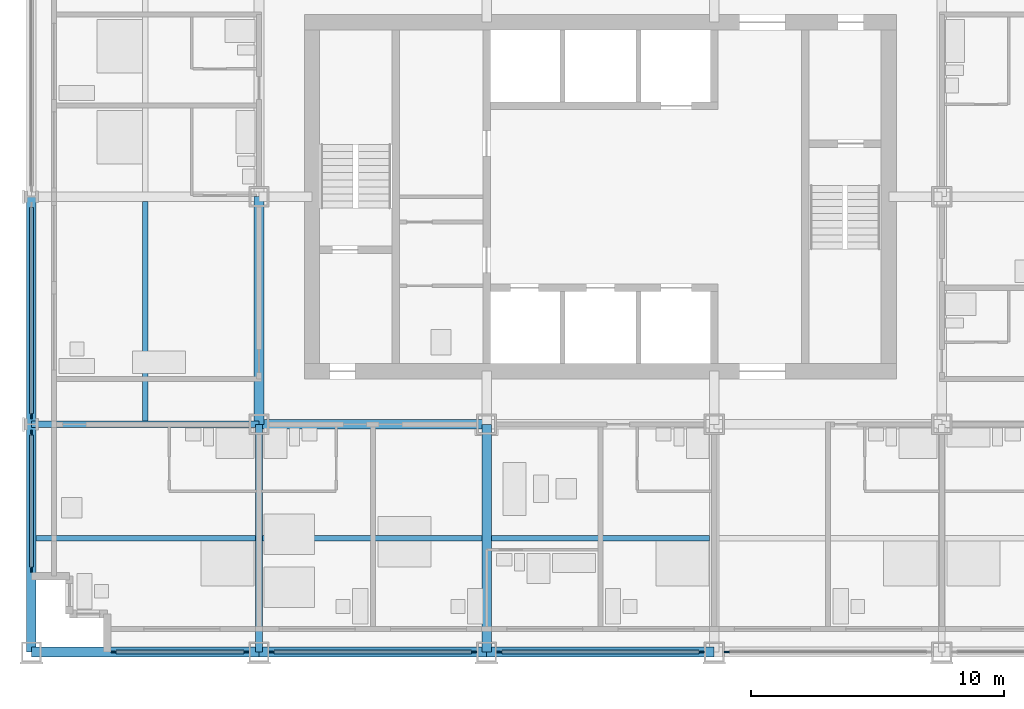
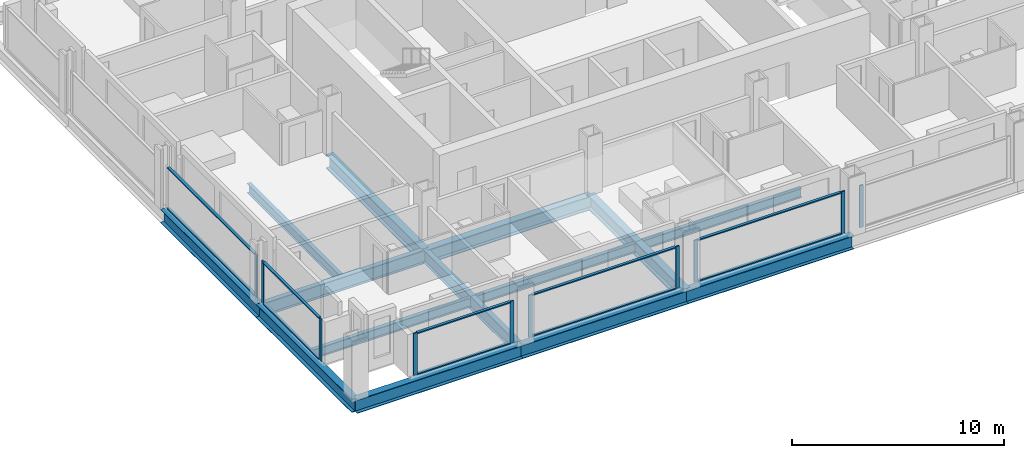
# One storey, part 2 of 16: 20 members, 14 beams, 6 elements without a shape of their own.
"""IFC4 building model written with IfcOpenShell, lengths in metres."""

from ifc_helpers import new_model, si_unit, direction, frame, origin, origin_2d, place, context, subcontext, project, spatial, rectangle, i_section, extrude, material, material_profile, profile_set, type_object, element, aggregate, save


model = new_model("IFC4")

# Units and contexts
model_context = context("Model", 3, precision=1e-05, world=origin(), true_north=direction((0.0, 1.0)))
body_context = subcontext(model_context, "Body", "Model", "MODEL_VIEW")
ifc_project = project(units=[si_unit("LENGTHUNIT", "METRE"), si_unit("AREAUNIT", "SQUARE_METRE"), si_unit("VOLUMEUNIT", "CUBIC_METRE"), si_unit("PLANEANGLEUNIT", "RADIAN"), si_unit("MASSUNIT", "GRAM", prefix="KILO")], contexts=[model_context])

# Site, building, storey
site_placement = place(None, origin())
site = spatial("IfcSite", under=ifc_project, at=site_placement, CompositionType="ELEMENT")
building_placement = place(site_placement, origin())
building = spatial("IfcBuilding", under=site, at=building_placement, Name="Loomwork Tower", CompositionType="ELEMENT")
storey_placement = place(building_placement, frame((0.0, 0.0, 118.0)))
storey = spatial("IfcBuildingStorey", under=building, at=storey_placement, Name="L31", CompositionType="ELEMENT", Elevation=118.0)

# Beams
ifc_material_1 = material(Name="Steel ASTM A992", Category="steel")
ifc_material_profile_1 = material_profile(ifc_material_1, i_section(OverallWidth=0.383544921875, OverallDepth=0.794921875, WebThickness=0.02099609375, FlangeThickness=0.0380859375, at=origin_2d()), Name="W30x235")
ifc_profile_set_1 = profile_set([ifc_material_profile_1], Name="Steel ASTM A992")
beam_type_1 = type_object("IfcBeamType", Name="CORE FLANK GIRDER W30x235", PredefinedType="BEAM", material=ifc_profile_set_1)
for number, where, z_axis, x_axis, name in (
    (1, (9.0, 9.0, -0.597412109375), (1.0, 0.0, 0.0), (0.0, 1.0, 0.0), "Core Flank Girder E/3-E/4 L31"),
    (2, (9.0, 9.0, -0.597412109375), (0.0, 1.0, 0.0), (-1.0, 0.0, 0.0), "Core Flank Girder E/3-F/3 L31"),
    (3, (18.0, 0.0, -0.597412109375), (0.0, 1.0, 0.0), (-1.0, 0.0, 0.0), "Core Flank Girder D/4-E/4 L31"),
):
    element("IfcBeam", number, at=place(storey_placement, frame(where, z_axis=z_axis, x_axis=x_axis)), inside=storey, type_object=beam_type_1, Name=name, PredefinedType="BEAM", context=body_context, shape_type="SweptSolid", body=[
        extrude(i_section(OverallWidth=0.383544921875, OverallDepth=0.794921875, WebThickness=0.02099609375, FlangeThickness=0.0380859375, at=origin_2d()), origin(), (0.0, 0.0, 1.0), 9.0),
    ])
ifc_material_2 = material(Name="Steel ASTM A992", Category="steel")
ifc_material_profile_2 = material_profile(ifc_material_2, i_section(OverallWidth=0.2666015625, OverallDepth=0.761962890625, WebThickness=0.014404296875, FlangeThickness=0.021484375, at=origin_2d()), Name="W30x116")
ifc_profile_set_2 = profile_set([ifc_material_profile_2], Name="Steel ASTM A992")
beam_type_2 = type_object("IfcBeamType", Name="FLOOR GIRDER W30x116", PredefinedType="BEAM", material=ifc_profile_set_2)
for number, where, z_axis, x_axis, name in (
    (4, (0.0, 9.0, -0.5810546875), (1.0, 0.0, 0.0), (0.0, 1.0, 0.0), "Floor Girder E/2-E/3 L31"),
    (5, (9.0, 0.0, -0.5810546875), (0.0, 1.0, 0.0), (-1.0, 0.0, 0.0), "Floor Girder D/3-E/3 L31"),
):
    element("IfcBeam", number, at=place(storey_placement, frame(where, z_axis=z_axis, x_axis=x_axis)), inside=storey, type_object=beam_type_2, Name=name, PredefinedType="BEAM", context=body_context, shape_type="SweptSolid", body=[
        extrude(i_section(OverallWidth=0.2666015625, OverallDepth=0.761962890625, WebThickness=0.014404296875, FlangeThickness=0.021484375, at=origin_2d()), origin(), (0.0, 0.0, 1.0), 9.0),
    ])
ifc_material_3 = material(Name="Steel ASTM A992", Category="steel")
ifc_material_profile_3 = material_profile(ifc_material_3, i_section(OverallWidth=0.2109375, OverallDepth=0.53857421875, WebThickness=0.011474609375, FlangeThickness=0.018798828125, at=origin_2d()), Name="W21x73")
ifc_profile_set_3 = profile_set([ifc_material_profile_3], Name="Steel ASTM A992")
beam_type_3 = type_object("IfcBeamType", Name="FLOOR JOIST W21x73", PredefinedType="JOIST", material=ifc_profile_set_3)
beam_1_placement = place(storey_placement, frame((0.18994140625, 4.5, -0.46923828125), z_axis=(1.0, 0.0, 0.0), x_axis=(0.0, 1.0, 0.0)))
element("IfcBeam", 6, at=beam_1_placement, inside=storey, type_object=beam_type_3, Name="Floor Joist 0.000,4.500-9.000,4.500 L31", PredefinedType="JOIST", context=body_context, shape_type="SweptSolid", body=[
    extrude(i_section(OverallWidth=0.2109375, OverallDepth=0.53857421875, WebThickness=0.011474609375, FlangeThickness=0.018798828125, at=origin_2d()), origin(), (0.0, 0.0, 1.0), 8.677001953125),
])
for number, where, z_axis, x_axis, name in (
    (7, (4.5, 9.133056640625, -0.46923828125), (0.0, 1.0, 0.0), (-1.0, 0.0, 0.0), "Floor Joist 4.500,9.000-4.500,18.000 L31"),
    (8, (9.133056640625, 4.5, -0.46923828125), (1.0, 0.0, 0.0), (0.0, 1.0, 0.0), "Floor Joist 9.000,4.500-18.000,4.500 L31"),
):
    element("IfcBeam", number, at=place(storey_placement, frame(where, z_axis=z_axis, x_axis=x_axis)), inside=storey, type_object=beam_type_3, Name=name, PredefinedType="JOIST", context=body_context, shape_type="SweptSolid", body=[
        extrude(i_section(OverallWidth=0.2109375, OverallDepth=0.53857421875, WebThickness=0.011474609375, FlangeThickness=0.018798828125, at=origin_2d()), origin(), (0.0, 0.0, 1.0), 8.676025390625),
    ])
beam_2_placement = place(storey_placement, frame((18.19091796875, 4.5, -0.46923828125), z_axis=(1.0, 0.0, 0.0), x_axis=(0.0, 1.0, 0.0)))
element("IfcBeam", 9, at=beam_2_placement, inside=storey, type_object=beam_type_3, Name="Floor Joist 18.000,4.500-27.000,4.500 L31", PredefinedType="JOIST", context=body_context, shape_type="SweptSolid", body=[
    extrude(i_section(OverallWidth=0.2109375, OverallDepth=0.53857421875, WebThickness=0.011474609375, FlangeThickness=0.018798828125, at=origin_2d()), origin(), (0.0, 0.0, 1.0), 8.6181640625),
])

# Curtain wall, members
ifc_material_4 = material(Name="Aluminium curtain wall frame", Category="aluminium")
curtain_wall_type = type_object("IfcCurtainWallType", Name="Outer skin glazing hotel", PredefinedType="NOTDEFINED", material=ifc_material_4)
curtain_wall_1_placement = place(storey_placement, origin())
curtain_wall_1 = element("IfcCurtainWall", 10, at=curtain_wall_1_placement, inside=storey, type_object=curtain_wall_type, Name="Outer skin glazing hotel cw/S-0", PredefinedType="NOTDEFINED")
ifc_material_5 = material(Name="Aluminium curtain wall frame", Category="aluminium")
ifc_material_profile_4 = material_profile(ifc_material_5, rectangle(XDim=0.06494140625, YDim=0.199951171875, at=origin_2d()), Name="AL 65x200")
ifc_profile_set_4 = profile_set([ifc_material_profile_4], Name="Aluminium curtain wall frame")
member_type_1 = type_object("IfcMemberType", Name="Outer skin glazing hotel mullion", PredefinedType="MULLION", material=ifc_profile_set_4)
member_1_placement = place(storey_placement, frame((3.25, 0.0, 0.0), z_axis=(0.0, 0.0, 1.0), x_axis=(0.0, 1.0, 0.0)))
member_1 = element("IfcMember", 11, at=member_1_placement, type_object=member_type_1, Name="CW1 mullion 1", PredefinedType="MULLION", context=body_context, shape_type="SweptSolid", body=[
    extrude(rectangle(XDim=0.06494140625, YDim=0.199951171875, at=origin_2d()), origin(), (0.0, 0.0, 1.0), 2.420166015625),
])
member_2_placement = place(storey_placement, frame((8.5, 0.0, 0.0), z_axis=(0.0, 0.0, 1.0), x_axis=(0.0, 1.0, 0.0)))
member_2 = element("IfcMember", 12, at=member_2_placement, type_object=member_type_1, Name="CW1 mullion 2", PredefinedType="MULLION", context=body_context, shape_type="SweptSolid", body=[
    extrude(rectangle(XDim=0.06494140625, YDim=0.199951171875, at=origin_2d()), origin(), (0.0, 0.0, 1.0), 2.420166015625),
])

curtain_wall_2_placement = place(storey_placement, origin())
curtain_wall_2 = element("IfcCurtainWall", 13, at=curtain_wall_2_placement, inside=storey, type_object=curtain_wall_type, Name="Outer skin glazing hotel cw/S-9", PredefinedType="NOTDEFINED")
member_3_placement = place(storey_placement, frame((9.5, 0.0, 0.0), z_axis=(0.0, 0.0, 1.0), x_axis=(0.0, 1.0, 0.0)))
member_3 = element("IfcMember", 14, at=member_3_placement, type_object=member_type_1, Name="CW1 mullion 1", PredefinedType="MULLION", context=body_context, shape_type="SweptSolid", body=[
    extrude(rectangle(XDim=0.06494140625, YDim=0.199951171875, at=origin_2d()), origin(), (0.0, 0.0, 1.0), 2.420166015625),
])
member_4_placement = place(storey_placement, frame((17.5, 0.0, 0.0), z_axis=(0.0, 0.0, 1.0), x_axis=(0.0, 1.0, 0.0)))
member_4 = element("IfcMember", 15, at=member_4_placement, type_object=member_type_1, Name="CW1 mullion 2", PredefinedType="MULLION", context=body_context, shape_type="SweptSolid", body=[
    extrude(rectangle(XDim=0.06494140625, YDim=0.199951171875, at=origin_2d()), origin(), (0.0, 0.0, 1.0), 2.420166015625),
])

curtain_wall_3_placement = place(storey_placement, origin())
curtain_wall_3 = element("IfcCurtainWall", 16, at=curtain_wall_3_placement, inside=storey, type_object=curtain_wall_type, Name="Outer skin glazing hotel cw/S-18", PredefinedType="NOTDEFINED")
member_5_placement = place(storey_placement, frame((18.5, 0.0, 0.0), z_axis=(0.0, 0.0, 1.0), x_axis=(0.0, 1.0, 0.0)))
member_5 = element("IfcMember", 17, at=member_5_placement, type_object=member_type_1, Name="CW1 mullion 1", PredefinedType="MULLION", context=body_context, shape_type="SweptSolid", body=[
    extrude(rectangle(XDim=0.06494140625, YDim=0.199951171875, at=origin_2d()), origin(), (0.0, 0.0, 1.0), 2.420166015625),
])
member_6_placement = place(storey_placement, frame((26.5, 0.0, 0.0), z_axis=(0.0, 0.0, 1.0), x_axis=(0.0, 1.0, 0.0)))
member_6 = element("IfcMember", 18, at=member_6_placement, type_object=member_type_1, Name="CW1 mullion 2", PredefinedType="MULLION", context=body_context, shape_type="SweptSolid", body=[
    extrude(rectangle(XDim=0.06494140625, YDim=0.199951171875, at=origin_2d()), origin(), (0.0, 0.0, 1.0), 2.420166015625),
])

# Curtain wall, member
curtain_wall_4_placement = place(storey_placement, origin())
curtain_wall_4 = element("IfcCurtainWall", 19, at=curtain_wall_4_placement, inside=storey, type_object=curtain_wall_type, Name="Outer skin glazing hotel cw/S-27", PredefinedType="NOTDEFINED")
member_7_placement = place(storey_placement, frame((27.5, 0.0, 0.0), z_axis=(0.0, 0.0, 1.0), x_axis=(0.0, 1.0, 0.0)))
member_7 = element("IfcMember", 20, at=member_7_placement, type_object=member_type_1, Name="CW1 mullion 1", PredefinedType="MULLION", context=body_context, shape_type="SweptSolid", body=[
    extrude(rectangle(XDim=0.06494140625, YDim=0.199951171875, at=origin_2d()), origin(), (0.0, 0.0, 1.0), 2.420166015625),
])
aggregate(curtain_wall_4, [member_7])

# Curtain wall, members
curtain_wall_5_placement = place(storey_placement, origin())
curtain_wall_5 = element("IfcCurtainWall", 21, at=curtain_wall_5_placement, inside=storey, type_object=curtain_wall_type, Name="Outer skin glazing hotel cw/W-0", PredefinedType="NOTDEFINED")
member_8_placement = place(storey_placement, frame((0.0, 8.67529296875, 0.0), z_axis=(0.0, 0.0, 1.0), x_axis=(1.0, 0.0, 0.0)))
member_8 = element("IfcMember", 22, at=member_8_placement, type_object=member_type_1, Name="CW1 mullion 1", PredefinedType="MULLION", context=body_context, shape_type="SweptSolid", body=[
    extrude(rectangle(XDim=0.06494140625, YDim=0.199951171875, at=origin_2d()), origin(), (0.0, 0.0, 1.0), 2.420166015625),
])
member_9_placement = place(storey_placement, frame((0.0, 3.25, 0.0), z_axis=(0.0, 0.0, 1.0), x_axis=(1.0, 0.0, 0.0)))
member_9 = element("IfcMember", 23, at=member_9_placement, type_object=member_type_1, Name="CW1 mullion 2", PredefinedType="MULLION", context=body_context, shape_type="SweptSolid", body=[
    extrude(rectangle(XDim=0.06494140625, YDim=0.199951171875, at=origin_2d()), origin(), (0.0, 0.0, 1.0), 2.420166015625),
])

# Curtain wall, member
curtain_wall_6_placement = place(storey_placement, origin())
curtain_wall_6 = element("IfcCurtainWall", 24, at=curtain_wall_6_placement, inside=storey, type_object=curtain_wall_type, Name="Outer skin glazing hotel cw/W-9", PredefinedType="NOTDEFINED")
member_10_placement = place(storey_placement, frame((0.0, 9.32470703125, 0.0), z_axis=(0.0, 0.0, 1.0), x_axis=(1.0, 0.0, 0.0)))
member_10 = element("IfcMember", 25, at=member_10_placement, type_object=member_type_1, Name="CW1 mullion 2", PredefinedType="MULLION", context=body_context, shape_type="SweptSolid", body=[
    extrude(rectangle(XDim=0.06494140625, YDim=0.199951171875, at=origin_2d()), origin(), (0.0, 0.0, 1.0), 2.420166015625),
])

# Member
ifc_material_6 = material(Name="Aluminium curtain wall frame", Category="aluminium")
ifc_material_profile_5 = material_profile(ifc_material_6, rectangle(XDim=0.14990234375, YDim=0.06494140625, at=origin_2d()), Name="AL 65x150")
ifc_profile_set_5 = profile_set([ifc_material_profile_5], Name="Aluminium curtain wall frame")
member_type_2 = type_object("IfcMemberType", Name="Outer skin glazing hotel transom", PredefinedType="USERDEFINED", material=ifc_profile_set_5)
member_11_placement = place(storey_placement, frame((3.35009765625, 0.0, 0.032470703125), z_axis=(1.0, 0.0, 0.0), x_axis=(0.0, 1.0, 0.0)))
member_11 = element("IfcMember", 26, at=member_11_placement, type_object=member_type_2, Name="CW1 transom 1.1", ObjectType="TRANSOM", PredefinedType="USERDEFINED", context=body_context, shape_type="SweptSolid", body=[
    extrude(rectangle(XDim=0.14990234375, YDim=0.06494140625, at=origin_2d()), origin(), (0.0, 0.0, 1.0), 5.0498046875),
])

member_12_placement = place(storey_placement, frame((3.35009765625, 0.0, 2.3876953125), z_axis=(1.0, 0.0, 0.0), x_axis=(0.0, 1.0, 0.0)))
member_12 = element("IfcMember", 27, at=member_12_placement, type_object=member_type_2, Name="CW1 transom 1.2", ObjectType="TRANSOM", PredefinedType="USERDEFINED", context=body_context, shape_type="SweptSolid", body=[
    extrude(rectangle(XDim=0.14990234375, YDim=0.06494140625, at=origin_2d()), origin(), (0.0, 0.0, 1.0), 5.0498046875),
])

aggregate(curtain_wall_1, [member_1, member_2, member_11, member_12])

member_13_placement = place(storey_placement, frame((9.60009765625, 0.0, 0.032470703125), z_axis=(1.0, 0.0, 0.0), x_axis=(0.0, 1.0, 0.0)))
member_13 = element("IfcMember", 28, at=member_13_placement, type_object=member_type_2, Name="CW1 transom 1.1", ObjectType="TRANSOM", PredefinedType="USERDEFINED", context=body_context, shape_type="SweptSolid", body=[
    extrude(rectangle(XDim=0.14990234375, YDim=0.06494140625, at=origin_2d()), origin(), (0.0, 0.0, 1.0), 7.7998046875),
])

member_14_placement = place(storey_placement, frame((9.60009765625, 0.0, 2.3876953125), z_axis=(1.0, 0.0, 0.0), x_axis=(0.0, 1.0, 0.0)))
member_14 = element("IfcMember", 29, at=member_14_placement, type_object=member_type_2, Name="CW1 transom 1.2", ObjectType="TRANSOM", PredefinedType="USERDEFINED", context=body_context, shape_type="SweptSolid", body=[
    extrude(rectangle(XDim=0.14990234375, YDim=0.06494140625, at=origin_2d()), origin(), (0.0, 0.0, 1.0), 7.7998046875),
])

aggregate(curtain_wall_2, [member_3, member_4, member_13, member_14])

member_15_placement = place(storey_placement, frame((18.60009765625, 0.0, 0.032470703125), z_axis=(1.0, 0.0, 0.0), x_axis=(0.0, 1.0, 0.0)))
member_15 = element("IfcMember", 30, at=member_15_placement, type_object=member_type_2, Name="CW1 transom 1.1", ObjectType="TRANSOM", PredefinedType="USERDEFINED", context=body_context, shape_type="SweptSolid", body=[
    extrude(rectangle(XDim=0.14990234375, YDim=0.06494140625, at=origin_2d()), origin(), (0.0, 0.0, 1.0), 7.7998046875),
])

member_16_placement = place(storey_placement, frame((18.60009765625, 0.0, 2.3876953125), z_axis=(1.0, 0.0, 0.0), x_axis=(0.0, 1.0, 0.0)))
member_16 = element("IfcMember", 31, at=member_16_placement, type_object=member_type_2, Name="CW1 transom 1.2", ObjectType="TRANSOM", PredefinedType="USERDEFINED", context=body_context, shape_type="SweptSolid", body=[
    extrude(rectangle(XDim=0.14990234375, YDim=0.06494140625, at=origin_2d()), origin(), (0.0, 0.0, 1.0), 7.7998046875),
])

aggregate(curtain_wall_3, [member_5, member_6, member_15, member_16])

member_17_placement = place(storey_placement, frame((0.0, 8.5751953125, 0.032470703125), z_axis=(0.0, -1.0, 0.0), x_axis=(1.0, 0.0, 0.0)))
member_17 = element("IfcMember", 32, at=member_17_placement, type_object=member_type_2, Name="CW1 transom 1.1", ObjectType="TRANSOM", PredefinedType="USERDEFINED", context=body_context, shape_type="SweptSolid", body=[
    extrude(rectangle(XDim=0.14990234375, YDim=0.06494140625, at=origin_2d()), origin(), (0.0, 0.0, 1.0), 5.22509765625),
])

member_18_placement = place(storey_placement, frame((0.0, 8.5751953125, 2.3876953125), z_axis=(0.0, -1.0, 0.0), x_axis=(1.0, 0.0, 0.0)))
member_18 = element("IfcMember", 33, at=member_18_placement, type_object=member_type_2, Name="CW1 transom 1.2", ObjectType="TRANSOM", PredefinedType="USERDEFINED", context=body_context, shape_type="SweptSolid", body=[
    extrude(rectangle(XDim=0.14990234375, YDim=0.06494140625, at=origin_2d()), origin(), (0.0, 0.0, 1.0), 5.22509765625),
])

aggregate(curtain_wall_5, [member_8, member_9, member_17, member_18])

member_19_placement = place(storey_placement, frame((0.0, 17.5751953125, 0.032470703125), z_axis=(0.0, -1.0, 0.0), x_axis=(1.0, 0.0, 0.0)))
member_19 = element("IfcMember", 34, at=member_19_placement, type_object=member_type_2, Name="CW1 transom 1.1", ObjectType="TRANSOM", PredefinedType="USERDEFINED", context=body_context, shape_type="SweptSolid", body=[
    extrude(rectangle(XDim=0.14990234375, YDim=0.06494140625, at=origin_2d()), origin(), (0.0, 0.0, 1.0), 8.150390625),
])

member_20_placement = place(storey_placement, frame((0.0, 17.5751953125, 2.3876953125), z_axis=(0.0, -1.0, 0.0), x_axis=(1.0, 0.0, 0.0)))
member_20 = element("IfcMember", 35, at=member_20_placement, type_object=member_type_2, Name="CW1 transom 1.2", ObjectType="TRANSOM", PredefinedType="USERDEFINED", context=body_context, shape_type="SweptSolid", body=[
    extrude(rectangle(XDim=0.14990234375, YDim=0.06494140625, at=origin_2d()), origin(), (0.0, 0.0, 1.0), 8.150390625),
])

aggregate(curtain_wall_6, [member_10, member_19, member_20])

# Beams
ifc_material_7 = material(Name="Steel ASTM A992", Category="steel")
ifc_material_profile_6 = material_profile(ifc_material_7, i_section(OverallWidth=0.381103515625, OverallDepth=0.77978515625, WebThickness=0.01806640625, FlangeThickness=0.0302734375, at=origin_2d()), Name="W30x191")
ifc_profile_set_6 = profile_set([ifc_material_profile_6], Name="Steel ASTM A992")
beam_type_4 = type_object("IfcBeamType", Name="SPANDREL GIRDER W30x191", PredefinedType="SPANDREL", material=ifc_profile_set_6)
for number, where, z_axis, x_axis, name in (
    (36, (0.0, 0.0, -0.58984375), (1.0, 0.0, 0.0), (0.0, 1.0, 0.0), "Spandrel Girder D/2-D/3 L31"),
    (37, (9.0, 0.0, -0.58984375), (1.0, 0.0, 0.0), (0.0, 1.0, 0.0), "Spandrel Girder D/3-D/4 L31"),
    (38, (18.0, 0.0, -0.58984375), (1.0, 0.0, 0.0), (0.0, 1.0, 0.0), "Spandrel Girder D/4-D/5 L31"),
    (39, (0.0, 0.0, -0.58984375), (0.0, 1.0, 0.0), (-1.0, 0.0, 0.0), "Spandrel Girder D/2-E/2 L31"),
    (40, (0.0, 9.0, -0.58984375), (0.0, 1.0, 0.0), (-1.0, 0.0, 0.0), "Spandrel Girder E/2-F/2 L31"),
):
    element("IfcBeam", number, at=place(storey_placement, frame(where, z_axis=z_axis, x_axis=x_axis)), inside=storey, type_object=beam_type_4, Name=name, PredefinedType="SPANDREL", context=body_context, shape_type="SweptSolid", body=[
        extrude(i_section(OverallWidth=0.381103515625, OverallDepth=0.77978515625, WebThickness=0.01806640625, FlangeThickness=0.0302734375, at=origin_2d()), origin(), (0.0, 0.0, 1.0), 9.0),
    ])

save(model, "model.ifc")
